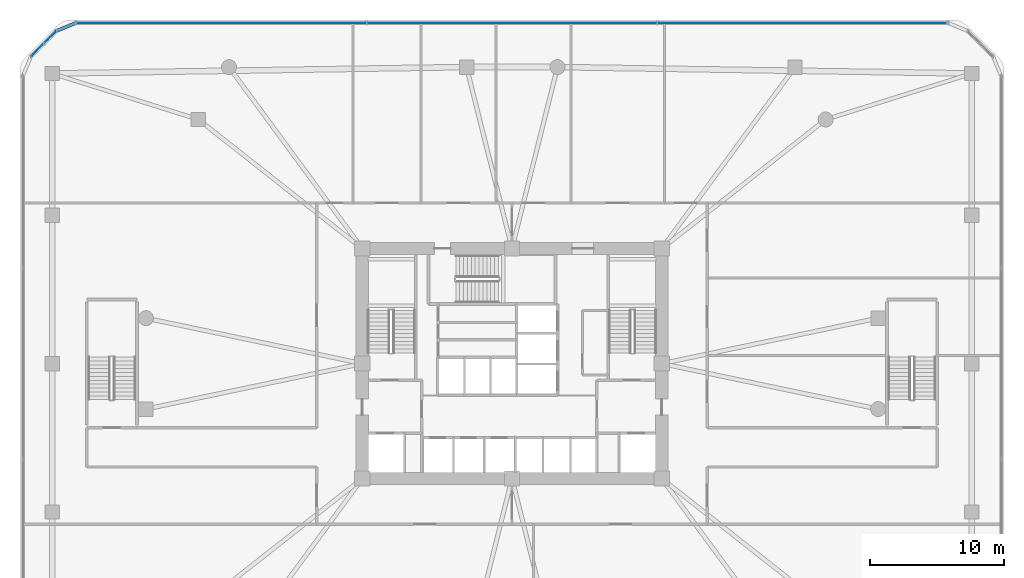
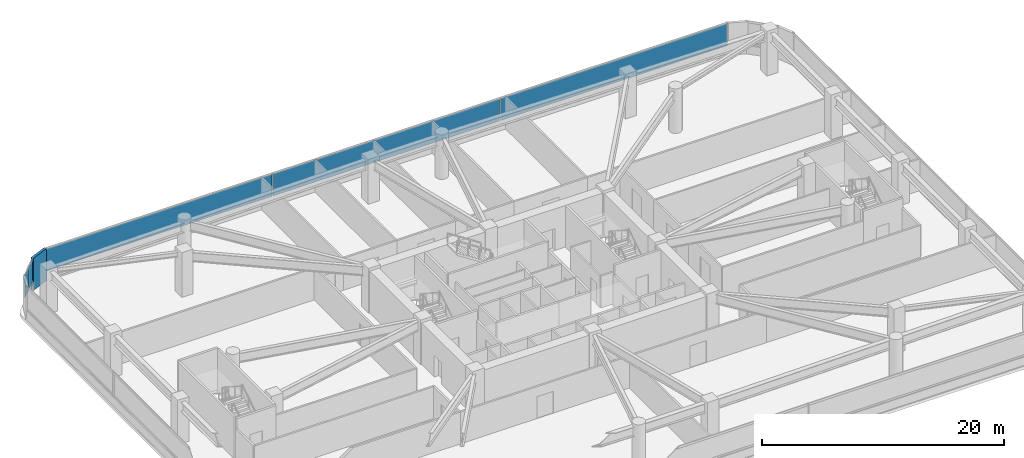
# One storey, part 14 of 21: 6 plates, 2 elements without a shape of their own.
"""IFC4 building model written with IfcOpenShell, lengths in metres."""

import ifcopenshell
import ifcopenshell.guid

model = None  # the IFC model being written
_history = None  # IfcOwnerHistory: only IFC2X3 demands one
_inside = {}  # id of a spatial element -> (the spatial element, [elements in it])
_under = {}  # id of a project, library or spatial element -> (it, [spatial elements below it])
_declared = {}  # id of a project -> (the project, [libraries it declares])
_typed = {}  # id of a type object -> (the type object, [elements of that type])
_made_of = {}  # id of a material, layer set ... -> (it, [elements and type objects made of it])


def new_model(schema):
    """Start an empty IFC model of exactly this schema.

    Asked for "IFC4X3", IfcOpenShell would pick the latest addendum, in which some entities
    have other attributes; the version numbers below select the first issue.
    IFC2X3 requires an IfcOwnerHistory on every rooted entity: one is made here for all.
    """
    global model, _history
    if schema == "IFC4X3":
        model = ifcopenshell.file(schema_version=(4, 3, 0, 0))
    else:
        model = ifcopenshell.file(schema=schema)
    _inside.clear()
    _under.clear()
    _declared.clear()
    _typed.clear()
    _made_of.clear()
    _history = None
    if model.schema == "IFC2X3":
        org = make("IfcOrganization", Name="unknown")
        user = make(
            "IfcPersonAndOrganization",
            ThePerson=make("IfcPerson", FamilyName="unknown"),
            TheOrganization=org,
        )
        app = make(
            "IfcApplication",
            ApplicationDeveloper=org,
            Version="unknown",
            ApplicationFullName="unknown",
            ApplicationIdentifier="unknown",
        )
        _history = make(
            "IfcOwnerHistory",
            OwningUser=user,
            OwningApplication=app,
            ChangeAction="ADDED",
            CreationDate=0,
        )
    return model


def make(cls, **values):
    """One entity of the class cls with the attributes given. An attribute that is None is left unset."""
    return model.create_entity(
        cls, **{name: value for name, value in values.items() if value is not None}
    )


def rooted(cls, **values):
    """An entity with a GlobalId (a new one), such as an element, a storey or a relation."""
    return make(cls, GlobalId=ifcopenshell.guid.new(), OwnerHistory=_history, **values)


def si_unit(unit_type, name, prefix=None):
    """IfcSIUnit, for example si_unit("LENGTHUNIT", "METRE", prefix="MILLI")."""
    return make("IfcSIUnit", UnitType=unit_type, Prefix=prefix, Name=name)


def derived_unit(unit_type, elements):
    """IfcDerivedUnit: a product of units, each with its exponent."""
    return make(
        "IfcDerivedUnit",
        Elements=[
            make("IfcDerivedUnitElement", Unit=unit, Exponent=power)
            for unit, power in elements
        ],
        UnitType=unit_type,
    )


def assignment(units):
    """IfcUnitAssignment: the units of a project."""
    return None if units is None else make("IfcUnitAssignment", Units=units)


def point(xyz):
    """IfcCartesianPoint."""
    return None if xyz is None else make("IfcCartesianPoint", Coordinates=xyz)


def direction(xyz):
    """IfcDirection."""
    return None if xyz is None else make("IfcDirection", DirectionRatios=xyz)


def frame(location, z_axis=None, x_axis=None):
    """IfcAxis2Placement3D, a coordinate frame: its origin and axes. An axis left out is left unset."""
    return make(
        "IfcAxis2Placement3D",
        Location=point(location),
        Axis=direction(z_axis),
        RefDirection=direction(x_axis),
    )


def frame_2d(location, x_axis=None):
    """IfcAxis2Placement2D, a coordinate frame in the plane: its origin and x axis."""
    return make(
        "IfcAxis2Placement2D", Location=point(location), RefDirection=direction(x_axis)
    )


def origin():
    """The frame at (0, 0, 0) with its axes left unset."""
    return frame((0.0, 0.0, 0.0))


def origin_2d():
    """The frame at (0, 0) in the plane with its x axis left unset."""
    return frame_2d((0.0, 0.0))


def place(relative_to, where):
    """IfcLocalPlacement: puts the frame where relative to a parent placement (None: the world)."""
    return make(
        "IfcLocalPlacement", PlacementRelTo=relative_to, RelativePlacement=where
    )


def context(
    kind, dimensions, precision=None, world=None, true_north=None, identifier=None
):
    """IfcGeometricRepresentationContext, for example the 3D "Model" context."""
    return make(
        "IfcGeometricRepresentationContext",
        ContextIdentifier=identifier,
        ContextType=kind,
        CoordinateSpaceDimension=dimensions,
        Precision=precision,
        WorldCoordinateSystem=world,
        TrueNorth=true_north,
    )


def subcontext(parent, identifier, kind, view, scale=None):
    """IfcGeometricRepresentationSubContext, for example "Body" below "Model"."""
    return make(
        "IfcGeometricRepresentationSubContext",
        ContextIdentifier=identifier,
        ContextType=kind,
        ParentContext=parent,
        TargetScale=scale,
        TargetView=view,
    )


def project(units=None, contexts=None):
    """IfcProject with its units and contexts."""
    return rooted(
        "IfcProject",
        Name="project",
        RepresentationContexts=contexts,
        UnitsInContext=assignment(units),
    )


def spatial(cls, under=None, at=None, **own):
    """A site, building, storey or space (cls), placed at a placement, below another one or the project."""
    s = rooted(cls, ObjectPlacement=at, **own)
    if under is not None:
        _under.setdefault(under.id(), (under, []))[1].append(s)
    return s


def profile(cls, at=None, kind="AREA", **sizes):
    """A parametric profile (cls). Its sizes go by their IFC names, for example OverallWidth=200.0."""
    return make(cls, ProfileType=kind, Position=at, **sizes)


def rectangle(**sizes):
    """IfcRectangleProfileDef."""
    return profile("IfcRectangleProfileDef", **sizes)


def extrude(swept, where, along, depth):
    """IfcExtrudedAreaSolid: the profile swept, set in the frame where, extruded along a direction by depth."""
    return make(
        "IfcExtrudedAreaSolid",
        SweptArea=swept,
        Position=where,
        ExtrudedDirection=direction(along),
        Depth=depth,
    )


def shape(context_of_items, identifier, shape_type, items):
    """IfcShapeRepresentation: the items that make up one representation, for example the "Body"."""
    return make(
        "IfcShapeRepresentation",
        ContextOfItems=context_of_items,
        RepresentationIdentifier=identifier,
        RepresentationType=shape_type,
        Items=items,
    )


def material(Name=None, Category=None):
    """IfcMaterial."""
    return make("IfcMaterial", Name=Name, Category=Category)


def layer(
    of_material, thickness, ventilated=None, Name=None, Category=None, Priority=None
):
    """IfcMaterialLayer: one layer of a wall or slab, of a material (None: an air gap)."""
    return make(
        "IfcMaterialLayer",
        Material=of_material,
        LayerThickness=thickness,
        IsVentilated=ventilated,
        Name=Name,
        Category=Category,
        Priority=Priority,
    )


def layer_set(layers, Name=None):
    """IfcMaterialLayerSet."""
    return make("IfcMaterialLayerSet", MaterialLayers=layers, LayerSetName=Name)


def made_of(thing, what):
    """Note that an element or type object is made of a material, layer set ...; save() writes the relation."""
    if what is not None:
        _made_of.setdefault(what.id(), (what, []))[1].append(thing)
    return thing


def type_object(cls, material=None, **own):
    """A type object (cls), such as IfcWallType, which elements share."""
    return made_of(rooted(cls, **own), material)


def element(
    cls,
    number,
    at=None,
    inside=None,
    cuts=None,
    type_object=None,
    material=None,
    context=None,
    identifier="Body",
    shape_type=None,
    held_by="IfcProductDefinitionShape",
    body=None,
    shapes=None,
    **own,
):
    """One element of the class cls, such as IfcWall. Its Tag is "e" and its number.

    at: its placement. inside: the storey or other place that contains it. cuts: it is an
    opening in that element (IfcRelVoidsElement). A single representation is given by context,
    identifier, shape_type and body (its items); several are given by shapes. held_by: the class
    of the entity that holds the representations. save() writes the other relations.
    """
    e = rooted(cls, Tag="e%d" % number, ObjectPlacement=at, **own)
    if body is not None:
        shapes = [shape(context, identifier, shape_type, body)]
    if shapes is not None:
        e.Representation = make(held_by, Representations=shapes)
    if inside is not None:
        _inside.setdefault(inside.id(), (inside, []))[1].append(e)
    if cuts is not None:
        rooted(
            "IfcRelVoidsElement", RelatingBuildingElement=cuts, RelatedOpeningElement=e
        )
    if type_object is not None:
        _typed.setdefault(type_object.id(), (type_object, []))[1].append(e)
    return made_of(e, material)


def aggregate(whole, parts):
    """IfcRelAggregates: a whole, such as a stair, and the parts it consists of."""
    return rooted("IfcRelAggregates", RelatingObject=whole, RelatedObjects=parts)


def save(model, path):
    """Write the relations noted so far, then the file.

    IfcRelAggregates (storeys below a building ...), IfcRelContainedInSpatialStructure (elements
    in a storey), IfcRelDefinesByType, IfcRelAssociatesMaterial and IfcRelDeclares: one each for
    every whole, place, type object, material and project.
    """
    for whole, parts in _under.values():
        aggregate(whole, parts)
    for where, things in _inside.values():
        rooted(
            "IfcRelContainedInSpatialStructure",
            RelatedElements=things,
            RelatingStructure=where,
        )
    for kind, things in _typed.values():
        rooted("IfcRelDefinesByType", RelatedObjects=things, RelatingType=kind)
    for what, things in _made_of.values():
        rooted("IfcRelAssociatesMaterial", RelatedObjects=things, RelatingMaterial=what)
    for by, libraries in _declared.values():
        rooted("IfcRelDeclares", RelatingContext=by, RelatedDefinitions=libraries)
    model.write(path)


model = new_model("IFC4")

# Units and contexts
model_context = context("Model", 3, precision=1e-05, world=origin(), true_north=direction((0.0, 1.0)))
body_context = subcontext(model_context, "Body", "Model", "MODEL_VIEW")
ifc_project = project(units=[si_unit("LENGTHUNIT", "METRE"), si_unit("AREAUNIT", "SQUARE_METRE"), si_unit("VOLUMEUNIT", "CUBIC_METRE"), si_unit("PLANEANGLEUNIT", "RADIAN"), si_unit("MASSUNIT", "GRAM", prefix="KILO"), derived_unit("THERMALTRANSMITTANCEUNIT", [(si_unit("POWERUNIT", "WATT"), 1), (si_unit("LENGTHUNIT", "METRE"), -2), (si_unit("THERMODYNAMICTEMPERATUREUNIT", "KELVIN"), -1)])], contexts=[model_context])

# Site, building, storey
site_placement = place(None, origin())
site = spatial("IfcSite", under=ifc_project, at=site_placement, CompositionType="ELEMENT")
building_placement = place(site_placement, origin())
building = spatial("IfcBuilding", under=site, at=building_placement, Name="Koralith Skygarden Medical Center", CompositionType="ELEMENT")
storey_placement = place(building_placement, frame((0.0, 0.0, 14.39990234375)))
storey = spatial("IfcBuildingStorey", under=building, at=storey_placement, Name="L03", CompositionType="ELEMENT", Elevation=14.39990234375)

# Curtain wall, plates
ifc_material_1 = material(Name="Clear Laminated Glass", Category="glass")
curtain_wall_type = type_object("IfcCurtainWallType", Name="CW-1 Transit & Podium Acoustic Curtain Wall", PredefinedType="NOTDEFINED", material=ifc_material_1)
curtain_wall_1_placement = place(storey_placement, origin())
curtain_wall_1 = element("IfcCurtainWall", 1, at=curtain_wall_1_placement, inside=storey, type_object=curtain_wall_type, Name="Curtain Wall CW-L03-N", PredefinedType="NOTDEFINED")
ifc_layer_1 = layer(ifc_material_1, 0.030029296875)
ifc_layer_set_1 = layer_set([ifc_layer_1], Name="Clear Laminated Glass")
plate_type_1 = type_object("IfcPlateType", Name="CW-1 Hurricane Laminated IGU Panel 30", PredefinedType="CURTAIN_PANEL", material=ifc_layer_set_1)
plate_1_placement = place(storey_placement, frame((58.7470703125, 51.3798828125, 0.920166015625), z_axis=(0.0, 0.0, 1.0), x_axis=(-1.0, 0.0, 0.0)))
plate_1 = element("IfcPlate", 2, at=plate_1_placement, type_object=plate_type_1, Name="CW-L03-N Glazed Panel 1", PredefinedType="CURTAIN_PANEL", context=body_context, shape_type="SweptSolid", body=[
    extrude(rectangle(XDim=21.656982421875, YDim=0.030029296875, at=origin_2d()), origin(), (0.0, 0.0, 1.0), 2.25),
])
plate_2_placement = place(storey_placement, frame((37.0, 51.3798828125, 0.920166015625), z_axis=(0.0, 0.0, 1.0), x_axis=(-1.0, 0.0, 0.0)))
plate_2 = element("IfcPlate", 3, at=plate_2_placement, type_object=plate_type_1, Name="CW-L03-N Glazed Panel 2", PredefinedType="CURTAIN_PANEL", context=body_context, shape_type="SweptSolid", body=[
    extrude(rectangle(XDim=21.656982421875, YDim=0.030029296875, at=origin_2d()), origin(), (0.0, 0.0, 1.0), 2.25),
])
plate_3_placement = place(storey_placement, frame((15.2529296875, 51.3798828125, 0.920166015625), z_axis=(0.0, 0.0, 1.0), x_axis=(-1.0, 0.0, 0.0)))
plate_3 = element("IfcPlate", 4, at=plate_3_placement, type_object=plate_type_1, Name="CW-L03-N Glazed Panel 3", PredefinedType="CURTAIN_PANEL", context=body_context, shape_type="SweptSolid", body=[
    extrude(rectangle(XDim=21.656982421875, YDim=0.030029296875, at=origin_2d()), origin(), (0.0, 0.0, 1.0), 2.25),
])
aggregate(curtain_wall_1, [plate_1, plate_2, plate_3])

curtain_wall_2_placement = place(storey_placement, origin())
curtain_wall_2 = element("IfcCurtainWall", 5, at=curtain_wall_2_placement, inside=storey, type_object=curtain_wall_type, Name="Curtain Wall CW-L03-NW", PredefinedType="NOTDEFINED")
plate_4_placement = place(storey_placement, frame((2.450927734375, 50.302001953125, 0.920166015625), z_axis=(0.0, 0.0, 1.0), x_axis=(-0.707106781187, -0.707106781187, 0.0)))
plate_4 = element("IfcPlate", 6, at=plate_4_placement, type_object=plate_type_1, Name="CW-L03-NW Glazed Panel 1", PredefinedType="CURTAIN_PANEL", context=body_context, shape_type="SweptSolid", body=[
    extrude(rectangle(XDim=1.258056640625, YDim=0.030029296875, at=origin_2d()), origin(), (0.0, 0.0, 1.0), 2.25),
])
plate_5_placement = place(storey_placement, frame((1.498046875, 49.34912109375, 0.920166015625), z_axis=(0.0, 0.0, 1.0), x_axis=(-0.707106781187, -0.707106781187, 0.0)))
plate_5 = element("IfcPlate", 7, at=plate_5_placement, type_object=plate_type_1, Name="CW-L03-NW Glazed Panel 2", PredefinedType="CURTAIN_PANEL", context=body_context, shape_type="SweptSolid", body=[
    extrude(rectangle(XDim=1.258056640625, YDim=0.030029296875, at=origin_2d()), origin(), (0.0, 0.0, 1.0), 2.25),
])
aggregate(curtain_wall_2, [plate_4, plate_5])

# Plate
ifc_material_2 = material(Name="Warm Oolitic Limestone Cladding", Category="masonry")
ifc_layer_2 = layer(ifc_material_2, 0.239990234375)
ifc_layer_set_2 = layer_set([ifc_layer_2], Name="Warm Oolitic Limestone Cladding")
plate_type_2 = type_object("IfcPlateType", Name="Rounded-Corner Oolitic Limestone Cladding Panel 240", PredefinedType="USERDEFINED", material=ifc_layer_set_2)
plate_6_placement = place(storey_placement, frame((3.653076171875, 51.080078125, 0.0), z_axis=(0.0, 0.0, 1.0), x_axis=(-0.92388487569, -0.382670532536, 0.0)))
element("IfcPlate", 8, at=plate_6_placement, inside=storey, type_object=plate_type_2, Name="L03 Rounded-Corner Limestone Pier 5", ObjectType="LIMESTONE CLADDING", PredefinedType="USERDEFINED", context=body_context, shape_type="SweptSolid", body=[
    extrude(rectangle(XDim=1.81103515625, YDim=0.239990234375, at=origin_2d()), origin(), (0.0, 0.0, 1.0), 3.239990234375),
])

save(model, "model.ifc")
